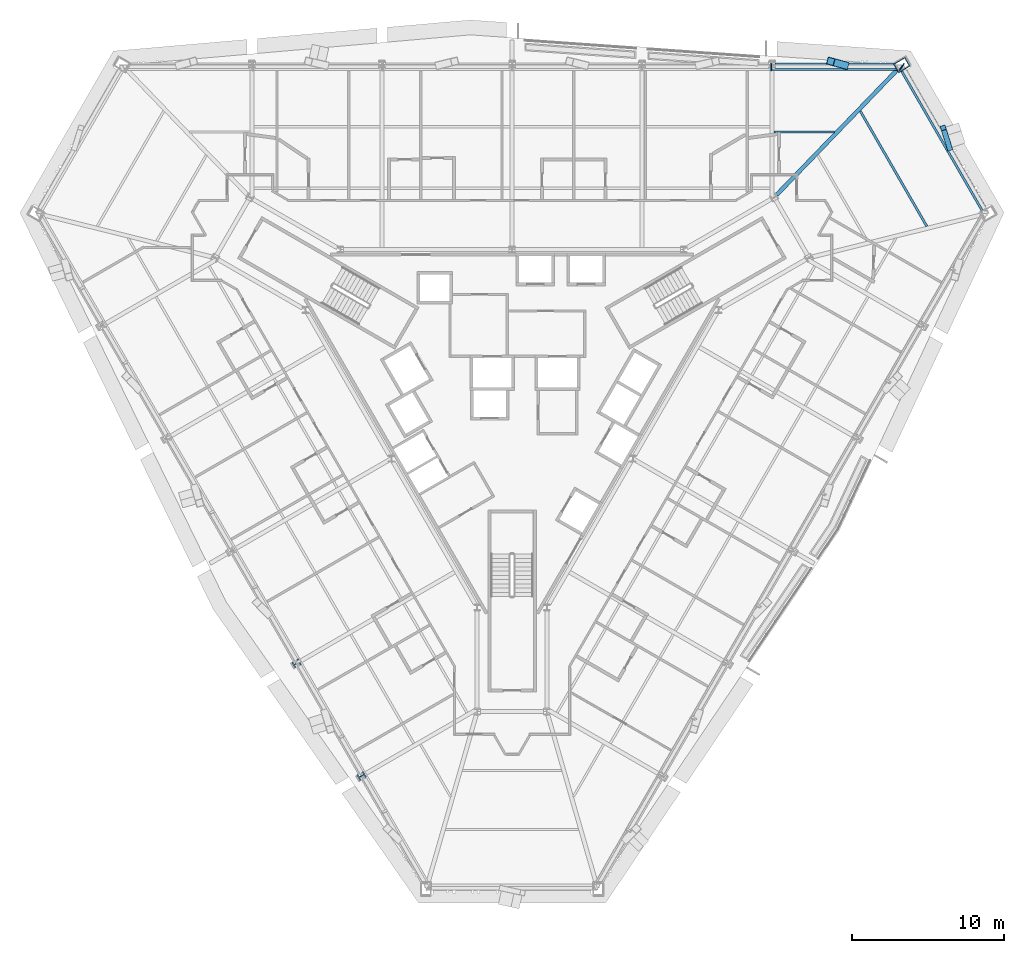
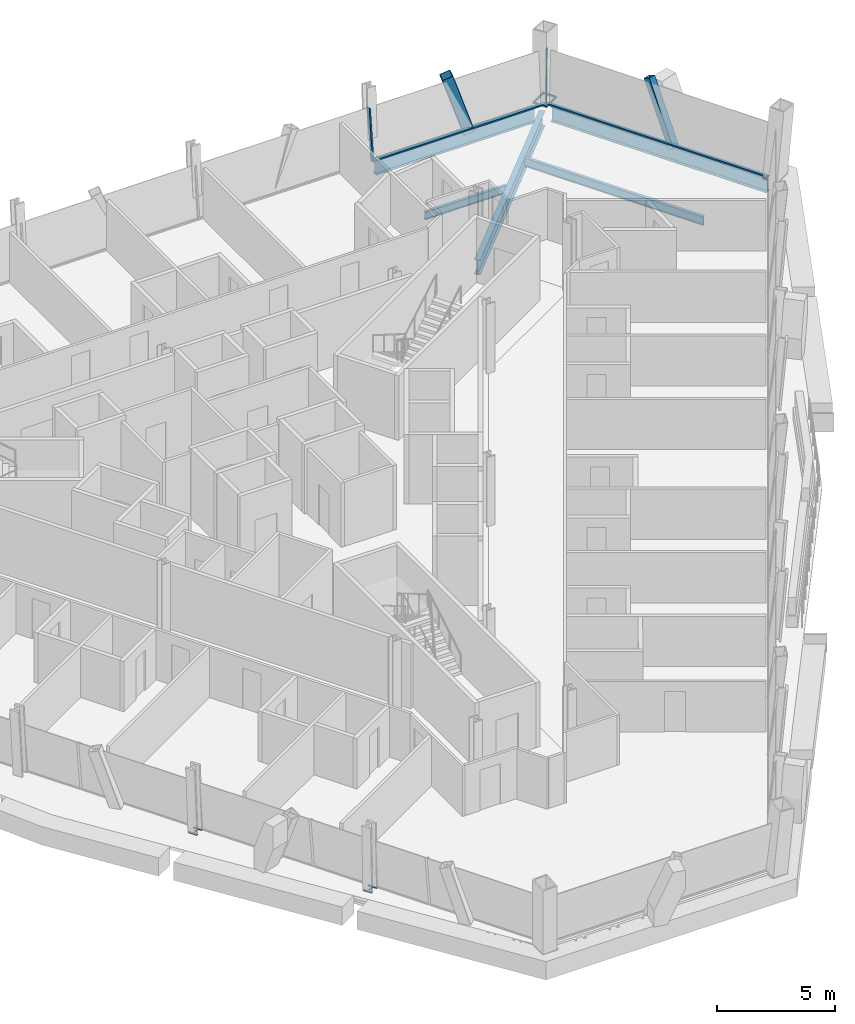
# One storey, part 6 of 15: 9 members, 5 beams, 2 elements without a shape of their own.
"""IFC4 building model written with IfcOpenShell, lengths in metres."""

from ifc_helpers import new_model, si_unit, direction, frame, origin, origin_2d, place, context, subcontext, project, spatial, rectangle, hollow_rectangle, i_section, extrude, material, material_profile, profile_set, type_object, element, aggregate, save


model = new_model("IFC4")

# Units and contexts
model_context = context("Model", 3, precision=1e-05, world=origin(), true_north=direction((0.0, 1.0)))
body_context = subcontext(model_context, "Body", "Model", "MODEL_VIEW")
ifc_project = project(units=[si_unit("LENGTHUNIT", "METRE"), si_unit("AREAUNIT", "SQUARE_METRE"), si_unit("VOLUMEUNIT", "CUBIC_METRE"), si_unit("PLANEANGLEUNIT", "RADIAN"), si_unit("MASSUNIT", "GRAM", prefix="KILO")], contexts=[model_context])

# Site, building, storey
site_placement = place(None, origin())
site = spatial("IfcSite", under=ifc_project, at=site_placement, CompositionType="ELEMENT")
building_placement = place(site_placement, origin())
building = spatial("IfcBuilding", under=site, at=building_placement, Name="Verrane Prism Tower", CompositionType="ELEMENT")
storey_placement = place(building_placement, frame((0.0, 0.0, 72.800048828125)))
storey = spatial("IfcBuildingStorey", under=building, at=storey_placement, Name="L16", CompositionType="ELEMENT", Elevation=72.800048828125)

# Member
ifc_material_1 = material(Name="Steel A500 Grade C", Category="steel")
ifc_material_profile_1 = material_profile(ifc_material_1, hollow_rectangle(XDim=0.355712890625, YDim=0.355712890625, WallThickness=0.0126953125, InnerFilletRadius=0.00634765625, OuterFilletRadius=0.01904296875, at=origin_2d()), Name="HSS14x14x1/2")
ifc_profile_set_1 = profile_set([ifc_material_profile_1], Name="Steel A500 Grade C")
member_type_1 = type_object("IfcMemberType", Name="Chamfer brace HSS14x14x1/2", PredefinedType="BRACE", material=ifc_profile_set_1)
member_1_placement = place(storey_placement, frame((28.880615234375, 15.89892578125, -0.2451171875), z_axis=(-0.127633458917, 0.402502282104, 0.906477585529), x_axis=(-0.953223279315, -0.302267066967, 0.0)))
element("IfcMember", 1, at=member_1_placement, inside=storey, type_object=member_type_1, Name="Chamfer brace NE0 L16", PredefinedType="BRACE", context=body_context, shape_type="SweptSolid", body=[
    extrude(hollow_rectangle(XDim=0.355712890625, YDim=0.355712890625, WallThickness=0.0126953125, InnerFilletRadius=0.00634765625, OuterFilletRadius=0.01904296875, at=origin_2d()), origin(), (0.0, 0.0, 1.0), 3.31298828125),
])

# Beams
ifc_material_2 = material(Name="Steel A992", Category="steel")
ifc_material_profile_2 = material_profile(ifc_material_2, i_section(OverallWidth=0.2666015625, OverallDepth=0.76708984375, WebThickness=0.014892578125, FlangeThickness=0.023681640625, FilletRadius=0.0166015625, at=origin_2d()), Name="W30x124")
ifc_profile_set_2 = profile_set([ifc_material_profile_2], Name="Steel A992")
beam_type_1 = type_object("IfcBeamType", Name="Chamfer spandrel beam W30x124", PredefinedType="SPANDREL", material=ifc_profile_set_2)
beam_1_placement = place(storey_placement, frame((31.19482421875, 11.89306640625, -0.54345703125), z_axis=(-0.500233062516, 0.865890803257, 0.0), x_axis=(-0.865890803257, -0.500233062516, 0.0)))
element("IfcBeam", 2, at=beam_1_placement, inside=storey, type_object=beam_type_1, Name="Chamfer spandrel beam L16", PredefinedType="SPANDREL", context=body_context, shape_type="SweptSolid", body=[
    extrude(i_section(OverallWidth=0.2666015625, OverallDepth=0.76708984375, WebThickness=0.014892578125, FlangeThickness=0.023681640625, FilletRadius=0.0166015625, at=origin_2d()), origin(), (0.0, 0.0, 1.0), 10.5947265625),
])
ifc_material_3 = material(Name="Steel A992", Category="steel")
ifc_material_profile_3 = material_profile(ifc_material_3, i_section(OverallWidth=0.2666015625, OverallDepth=0.76708984375, WebThickness=0.014892578125, FlangeThickness=0.023681640625, FilletRadius=0.0166015625, at=origin_2d()), Name="W30x124")
ifc_profile_set_3 = profile_set([ifc_material_profile_3], Name="Steel A992")
beam_type_2 = type_object("IfcBeamType", Name="Corner girder W30x124", PredefinedType="BEAM", material=ifc_profile_set_3)
beam_2_placement = place(storey_placement, frame((25.39501953125, 21.032958984375, -0.603515625), z_axis=(-0.694222573205, -0.719760389889, 0.0), x_axis=(0.719760389889, -0.694222573205, 0.0)))
element("IfcBeam", 3, at=beam_2_placement, inside=storey, type_object=beam_type_2, Name="Corner girder L16", PredefinedType="BEAM", context=body_context, shape_type="SweptSolid", body=[
    extrude(i_section(OverallWidth=0.2666015625, OverallDepth=0.76708984375, WebThickness=0.014892578125, FlangeThickness=0.023681640625, FilletRadius=0.0166015625, at=origin_2d()), origin(), (0.0, 0.0, 1.0), 11.424072265625),
])

# Member
ifc_material_4 = material(Name="Steel A1085 Grade A", Category="steel")
ifc_material_profile_4 = material_profile(ifc_material_4, hollow_rectangle(XDim=0.508056640625, YDim=0.508056640625, WallThickness=0.025390625, InnerFilletRadius=0.0126953125, OuterFilletRadius=0.0380859375, at=origin_2d()), Name="HSS20x20x1")
ifc_profile_set_4 = profile_set([ifc_material_profile_4], Name="Steel A1085 Grade A")
member_type_2 = type_object("IfcMemberType", Name="Facade brace HSS20x20x1", PredefinedType="BRACE", material=ifc_profile_set_4)
member_2_placement = place(storey_placement, frame((21.9560546875, 21.3701171875, -0.24267578125), z_axis=(-0.293213198396, 0.078870638809, 0.952788246475), x_axis=(-0.259754282609, -0.965674744759, 0.0)))
element("IfcMember", 4, at=member_2_placement, inside=storey, type_object=member_type_2, Name="Facade brace N0 L16", PredefinedType="BRACE", context=body_context, shape_type="SweptSolid", body=[
    extrude(hollow_rectangle(XDim=0.508056640625, YDim=0.508056640625, WallThickness=0.025390625, InnerFilletRadius=0.0126953125, OuterFilletRadius=0.0380859375, at=origin_2d()), origin(), (0.0, 0.0, 1.0), 3.157470703125),
])

# Beams
ifc_material_5 = material(Name="Steel A992", Category="steel")
ifc_material_profile_5 = material_profile(ifc_material_5, i_section(OverallWidth=0.140380859375, OverallDepth=0.40380859375, WebThickness=0.007080078125, FlangeThickness=0.01123046875, FilletRadius=0.01025390625, at=origin_2d()), Name="W16x31")
ifc_profile_set_5 = profile_set([ifc_material_profile_5], Name="Steel A992")
beam_type_3 = type_object("IfcBeamType", Name="Floor beam W16x31", PredefinedType="BEAM", material=ifc_profile_set_5)
beam_3_placement = place(storey_placement, frame((17.283447265625, 16.9599609375, -0.362060546875), z_axis=(1.0, 0.0, 0.0), x_axis=(0.0, 1.0, 0.0)))
element("IfcBeam", 5, at=beam_3_placement, inside=storey, type_object=beam_type_3, Name="Floor beam L16", PredefinedType="BEAM", context=body_context, shape_type="SweptSolid", body=[
    extrude(i_section(OverallWidth=0.140380859375, OverallDepth=0.40380859375, WebThickness=0.007080078125, FlangeThickness=0.01123046875, FilletRadius=0.01025390625, at=origin_2d()), origin(), (0.0, 0.0, 1.0), 3.99755859375),
])
ifc_material_6 = material(Name="Steel A992", Category="steel")
ifc_material_profile_6 = material_profile(ifc_material_6, i_section(OverallWidth=0.15234375, OverallDepth=0.449462890625, WebThickness=0.007568359375, FlangeThickness=0.0107421875, FilletRadius=0.01025390625, at=origin_2d()), Name="W18x35")
ifc_profile_set_6 = profile_set([ifc_material_profile_6], Name="Steel A992")
beam_type_4 = type_object("IfcBeamType", Name="Floor beam W18x35", PredefinedType="BEAM", material=ifc_profile_set_6)
beam_4_placement = place(storey_placement, frame((27.376708984375, 10.7333984375, -0.384765625), z_axis=(-0.499991890044, 0.866030086019, 0.0), x_axis=(-0.866030086019, -0.499991890044, 0.0)))
element("IfcBeam", 6, at=beam_4_placement, inside=storey, type_object=beam_type_4, Name="Floor beam L16", PredefinedType="BEAM", context=body_context, shape_type="SweptSolid", body=[
    extrude(i_section(OverallWidth=0.15234375, OverallDepth=0.449462890625, WebThickness=0.007568359375, FlangeThickness=0.0107421875, FilletRadius=0.01025390625, at=origin_2d()), origin(), (0.0, 0.0, 1.0), 8.784912109375),
])

# Members
ifc_material_7 = material(Name="Steel A572 Grade 50", Category="steel")
ifc_material_profile_7 = material_profile(ifc_material_7, hollow_rectangle(XDim=0.699951171875, YDim=0.89990234375, WallThickness=0.06494140625, at=origin_2d()), Name="BOX 900x700x65")
ifc_profile_set_7 = profile_set([ifc_material_profile_7], Name="Steel A572 Grade 50")
member_type_3 = type_object("IfcMemberType", Name="Kink node BOX 900x700x65", PredefinedType="COLLAR", material=ifc_profile_set_7)
member_3_placement = place(storey_placement, frame((25.720947265625, 21.37158203125, -0.0400390625), z_axis=(0.0, 0.0, 1.0), x_axis=(0.5, -0.866025403784, 0.0)))
element("IfcMember", 7, at=member_3_placement, inside=storey, type_object=member_type_3, Name="Kink node MC3 L16", PredefinedType="COLLAR", context=body_context, shape_type="SweptSolid", body=[
    extrude(hollow_rectangle(XDim=0.699951171875, YDim=0.89990234375, WallThickness=0.06494140625, at=origin_2d()), origin(), (0.0, 0.0, 1.0), 0.080078125),
])
ifc_material_8 = material(Name="Steel A992", Category="steel")
ifc_material_profile_8 = material_profile(ifc_material_8, i_section(OverallWidth=0.431884765625, OverallDepth=0.497802734375, WebThickness=0.0556640625, FlangeThickness=0.0888671875, FilletRadius=0.01513671875, at=origin_2d()), Name="W14x500")
ifc_profile_set_8 = profile_set([ifc_material_profile_8], Name="Steel A992")
member_type_4 = type_object("IfcMemberType", Name="Kink node W14x500", PredefinedType="COLLAR", material=ifc_profile_set_8)
for number, where, z_axis, x_axis, name in (
    (8, (-14.220703125, -18.110595703125, -0.025146484375), (0.0, 0.0, 1.0), (-0.5, 0.866025403784, 0.0), "Kink node PC3 L16"),
    (9, (-9.9306640625, -25.540771484375, -0.025146484375), (0.0, 0.0, 1.0), (-0.5, 0.866025403784, 0.0), "Kink node PC3 L16"),
):
    element("IfcMember", number, at=place(storey_placement, frame(where, z_axis=z_axis, x_axis=x_axis)), inside=storey, type_object=member_type_4, Name=name, PredefinedType="COLLAR", context=body_context, shape_type="SweptSolid", body=[
        extrude(i_section(OverallWidth=0.431884765625, OverallDepth=0.497802734375, WebThickness=0.0556640625, FlangeThickness=0.0888671875, FilletRadius=0.01513671875, at=origin_2d()), origin(), (0.0, 0.0, 1.0), 0.050048828125),
    ])

# Curtain wall, members
ifc_material_9 = material(Name="Aluminium framed insulated glazing", Category="aluminium")
curtain_wall_type = type_object("IfcCurtainWallType", Name="Curtain wall CW-A 8400 module", PredefinedType="NOTDEFINED", material=ifc_material_9)
curtain_wall_1_placement = place(storey_placement, origin())
curtain_wall_1 = element("IfcCurtainWall", 10, at=curtain_wall_1_placement, inside=storey, type_object=curtain_wall_type, Name="Glazed curtain wall north face L16", PredefinedType="NOTDEFINED")
ifc_material_10 = material(Name="Aluminium alloy 6063-T6", Category="aluminium")
ifc_material_profile_9 = material_profile(ifc_material_10, rectangle(XDim=0.199951171875, YDim=0.070068359375, at=origin_2d()), Name="Mullion 70x200 aluminium")
ifc_profile_set_9 = profile_set([ifc_material_profile_9], Name="Aluminium alloy 6063-T6")
member_type_5 = type_object("IfcMemberType", Name="Mullion 70x200 aluminium", PredefinedType="MULLION", material=ifc_profile_set_9)
member_4_placement = place(storey_placement, frame((25.61376953125, 21.091064453125, 0.0), z_axis=(0.079121139661, 0.113730854554, 0.990356066262), x_axis=(0.565576561279, 0.812974963522, -0.138545523272)))
member_4 = element("IfcMember", 11, at=member_4_placement, type_object=member_type_5, Name="CW14.2 mullion 1", PredefinedType="MULLION", context=body_context, shape_type="SweptSolid", body=[
    extrude(rectangle(XDim=0.199951171875, YDim=0.070068359375, at=origin_2d()), origin(), (0.0, 0.0, 1.0), 2.63818359375),
])
member_5_placement = place(storey_placement, frame((17.09912109375, 21.091064453125, 0.0), z_axis=(0.0, 0.114088521093, 0.993470588067), x_axis=(0.0, 0.993470588067, -0.114088521093)))
member_5 = element("IfcMember", 12, at=member_5_placement, type_object=member_type_5, Name="CW14.2 mullion 2", PredefinedType="MULLION", context=body_context, shape_type="SweptSolid", body=[
    extrude(rectangle(XDim=0.199951171875, YDim=0.070068359375, at=origin_2d()), origin(), (0.0, 0.0, 1.0), 2.6298828125),
])

# Beam
ifc_material_11 = material(Name="Steel A992", Category="steel")
ifc_material_profile_10 = material_profile(ifc_material_11, i_section(OverallWidth=0.2666015625, OverallDepth=0.7568359375, WebThickness=0.013916015625, FlangeThickness=0.019287109375, FilletRadius=0.0166015625, at=origin_2d()), Name="W30x108")
ifc_profile_set_10 = profile_set([ifc_material_profile_10], Name="Steel A992")
beam_type_5 = type_object("IfcBeamType", Name="Spandrel beam W30x108", PredefinedType="SPANDREL", material=ifc_profile_set_10)
beam_5_placement = place(storey_placement, frame((25.200439453125, 21.3701171875, -0.53857421875), z_axis=(-1.0, 0.0, 0.0), x_axis=(0.0, -1.0, 0.0)))
element("IfcBeam", 13, at=beam_5_placement, inside=storey, type_object=beam_type_5, Name="Spandrel beam L16", PredefinedType="SPANDREL", context=body_context, shape_type="SweptSolid", body=[
    extrude(i_section(OverallWidth=0.2666015625, OverallDepth=0.7568359375, WebThickness=0.013916015625, FlangeThickness=0.019287109375, FilletRadius=0.0166015625, at=origin_2d()), origin(), (0.0, 0.0, 1.0), 7.83447265625),
])

# Curtain wall, member
curtain_wall_2_placement = place(storey_placement, origin())
curtain_wall_2 = element("IfcCurtainWall", 14, at=curtain_wall_2_placement, inside=storey, type_object=curtain_wall_type, Name="Glazed curtain wall north-east corner L16", PredefinedType="NOTDEFINED")
ifc_material_12 = material(Name="Aluminium alloy 6063-T6", Category="aluminium")
ifc_material_profile_11 = material_profile(ifc_material_12, rectangle(XDim=0.14990234375, YDim=0.070068359375, at=origin_2d()), Name="Transom 70x150 aluminium")
ifc_profile_set_11 = profile_set([ifc_material_profile_11], Name="Aluminium alloy 6063-T6")
member_type_6 = type_object("IfcMemberType", Name="Transom 70x150 aluminium", PredefinedType="USERDEFINED", material=ifc_profile_set_11)
member_6_placement = place(storey_placement, frame((31.0546875, 11.7275390625, 0.034912109375), z_axis=(-0.499998054568, 0.866026526977, 0.0), x_axis=(-0.866026526977, -0.499998054568, 0.0)))
member_6 = element("IfcMember", 15, at=member_6_placement, type_object=member_type_6, Name="CW14.1 transom 1", ObjectType="TRANSOM", PredefinedType="USERDEFINED", context=body_context, shape_type="SweptSolid", body=[
    extrude(rectangle(XDim=0.14990234375, YDim=0.070068359375, at=origin_2d()), origin(), (0.0, 0.0, 1.0), 10.81201171875),
])
aggregate(curtain_wall_2, [member_6])

# Member
member_7_placement = place(storey_placement, frame((25.578857421875, 21.091064453125, 0.034912109375), z_axis=(-1.0, 0.0, 0.0), x_axis=(0.0, -1.0, 0.0)))
member_7 = element("IfcMember", 16, at=member_7_placement, type_object=member_type_6, Name="CW14.2 transom 1", ObjectType="TRANSOM", PredefinedType="USERDEFINED", context=body_context, shape_type="SweptSolid", body=[
    extrude(rectangle(XDim=0.14990234375, YDim=0.070068359375, at=origin_2d()), origin(), (0.0, 0.0, 1.0), 8.444580078125),
])

aggregate(curtain_wall_1, [member_4, member_5, member_7])

save(model, "model.ifc")
